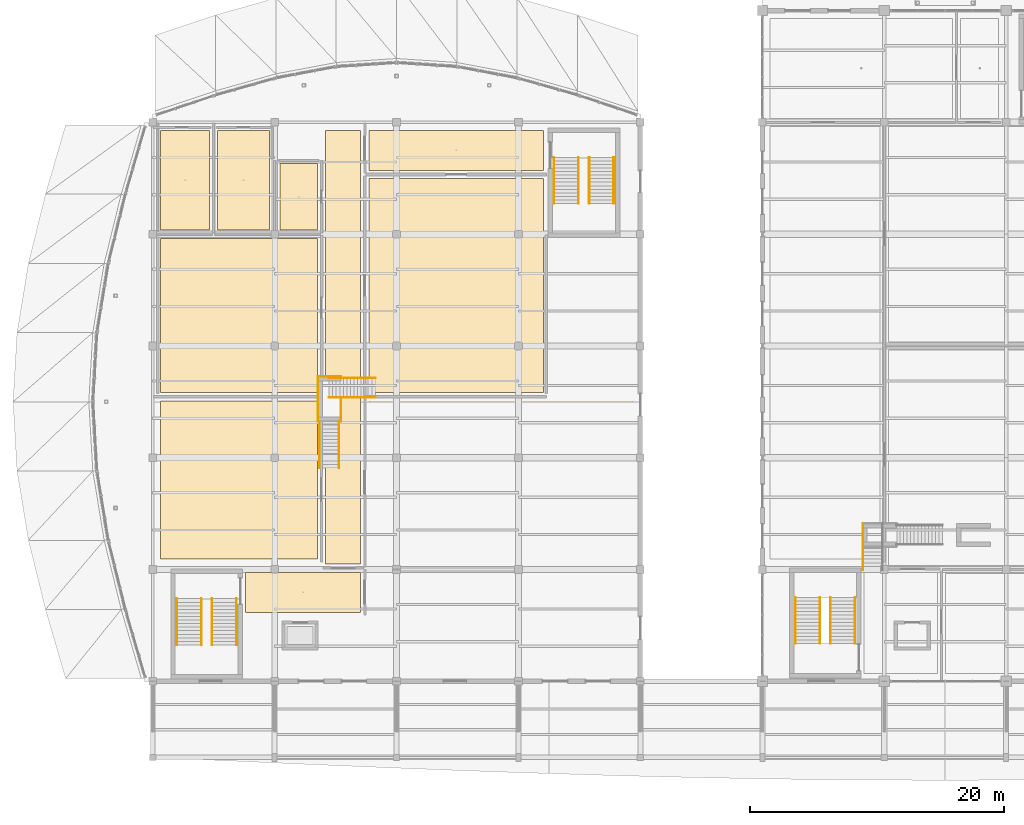
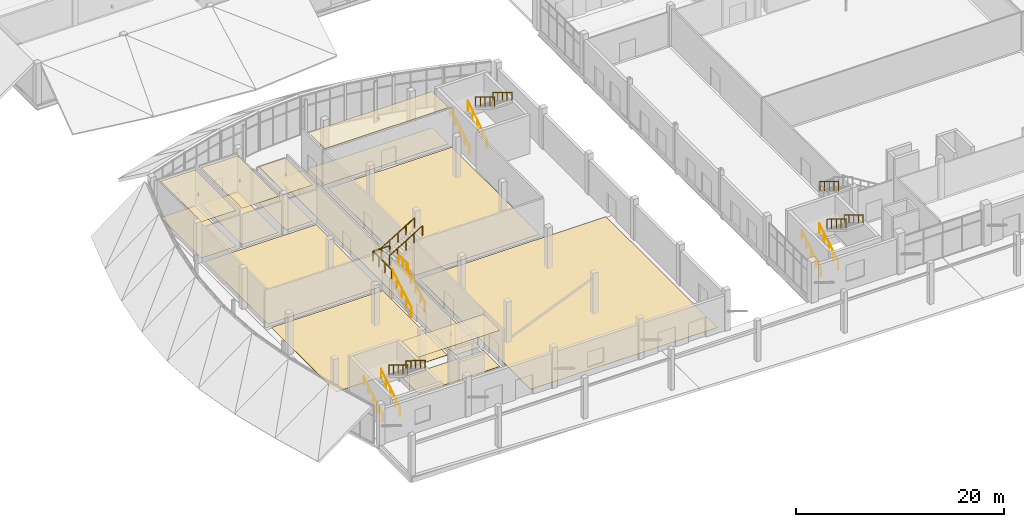
# One storey, part 107 of 116: 19 railings, 15 coverings, 5 elements without a shape of their own.
"""IFC4 building model written with IfcOpenShell, lengths in metres."""

from ifc_helpers import new_model, si_unit, direction, frame, origin, origin_2d, place, context, subcontext, project, spatial, polyline, circle, outline, extrude, material, layer, layer_set, type_object, element, aggregate, save


model = new_model("IFC4")

# Units and contexts
model_context = context("Model", 3, precision=1e-05, world=origin(), true_north=direction((0.0, 1.0)))
body_context = subcontext(model_context, "Body", "Model", "MODEL_VIEW")
ifc_project = project(units=[si_unit("LENGTHUNIT", "METRE"), si_unit("AREAUNIT", "SQUARE_METRE"), si_unit("VOLUMEUNIT", "CUBIC_METRE"), si_unit("PLANEANGLEUNIT", "RADIAN"), si_unit("MASSUNIT", "GRAM", prefix="KILO")], contexts=[model_context])

# Site, building, storey
site_placement = place(None, origin())
site = spatial("IfcSite", under=ifc_project, at=site_placement, CompositionType="ELEMENT")
building_placement = place(site_placement, origin())
building = spatial("IfcBuilding", under=site, at=building_placement, Name="Chalmorin Arch Market", CompositionType="ELEMENT")
storey_placement = place(building_placement, origin())
storey = spatial("IfcBuildingStorey", under=building, at=storey_placement, Name="L00", CompositionType="ELEMENT", Elevation=0.0)

# Coverings
ifc_material_1 = material(Name="Mineral Fibre Acoustic Tile")
ifc_layer_1 = layer(ifc_material_1, 0.044921875)
ifc_layer_set_1 = layer_set([ifc_layer_1], Name="Mineral Fibre Acoustic Tile")
covering_type_1 = type_object("IfcCoveringType", Name="AcousticBaffleCeiling-45", PredefinedType="CEILING", material=ifc_layer_set_1)
covering_1_placement = place(storey_placement, frame((0.0, 0.0, 4.235107421875)))
element("IfcCovering", 1, at=covering_1_placement, inside=storey, type_object=covering_type_1, Name="CLG-01-095", PredefinedType="CEILING", context=body_context, shape_type="SweptSolid", body=[
    extrude(outline(polyline([(7.320068359375, 11.419921875), (16.3798828125, 11.419921875), (16.3798828125, 14.580078125), (7.320068359375, 14.580078125), (7.320068359375, 11.419921875)])), origin(), (0.0, 0.0, 1.0), 0.044921875),
])
covering_2_placement = place(storey_placement, frame((0.0, 0.0, 4.235107421875)))
element("IfcCovering", 2, at=covering_2_placement, inside=storey, type_object=covering_type_1, Name="CLG-01-098", PredefinedType="CEILING", context=body_context, shape_type="SweptSolid", body=[
    extrude(outline(polyline([(17.02001953125, 46.219970703125), (30.780029296875, 46.219970703125), (30.780029296875, 49.3798828125), (17.02001953125, 49.3798828125), (17.02001953125, 46.219970703125)])), origin(), (0.0, 0.0, 1.0), 0.044921875),
])
ifc_material_2 = material(Name="Epoxy Resin Flooring")
ifc_layer_2 = layer(ifc_material_2, 0.02001953125)
ifc_layer_set_2 = layer_set([ifc_layer_2], Name="Epoxy Resin Flooring")
covering_type_2 = type_object("IfcCoveringType", Name="EpoxySlipResistantKitchenFloor-20", PredefinedType="FLOORING", material=ifc_layer_set_2)
covering_3_placement = place(storey_placement, origin())
element("IfcCovering", 3, at=covering_3_placement, inside=storey, type_object=covering_type_2, Name="FLR-02-092", PredefinedType="FLOORING", context=body_context, shape_type="SweptSolid", body=[
    extrude(outline(polyline([(0.6201171875, 28.719970703125), (12.97998046875, 28.719970703125), (12.97998046875, 40.8798828125), (0.6201171875, 40.8798828125), (0.6201171875, 28.719970703125)])), origin(), (0.0, 0.0, 1.0), 0.02001953125),
])
covering_4_placement = place(storey_placement, origin())
element("IfcCovering", 4, at=covering_4_placement, inside=storey, type_object=covering_type_2, Name="FLR-02-093", PredefinedType="FLOORING", context=body_context, shape_type="SweptSolid", body=[
    extrude(outline(polyline([(17.02001953125, 28.719970703125), (30.780029296875, 28.719970703125), (30.780029296875, 45.580078125), (17.02001953125, 45.580078125), (17.02001953125, 28.719970703125)])), origin(), (0.0, 0.0, 1.0), 0.02001953125),
])
ifc_material_3 = material(Name="Gypsum Board Partition")
ifc_layer_3 = layer(ifc_material_3, 0.030029296875)
ifc_layer_set_3 = layer_set([ifc_layer_3], Name="Gypsum Board Partition")
covering_type_3 = type_object("IfcCoveringType", Name="MoistureResistantGypsumCeiling-30", PredefinedType="CEILING", material=ifc_layer_set_3)
covering_5_placement = place(storey_placement, frame((0.0, 0.0, 4.25)))
element("IfcCovering", 5, at=covering_5_placement, inside=storey, type_object=covering_type_3, Name="CLG-03-100", PredefinedType="CEILING", context=body_context, shape_type="SweptSolid", body=[
    extrude(outline(polyline([(0.6201171875, 41.52001953125), (4.47998046875, 41.52001953125), (4.47998046875, 49.3798828125), (0.6201171875, 49.3798828125), (0.6201171875, 41.52001953125)])), origin(), (0.0, 0.0, 1.0), 0.030029296875),
])
covering_6_placement = place(storey_placement, frame((0.0, 0.0, 4.25)))
element("IfcCovering", 6, at=covering_6_placement, inside=storey, type_object=covering_type_3, Name="CLG-03-102", PredefinedType="CEILING", context=body_context, shape_type="SweptSolid", body=[
    extrude(outline(polyline([(5.1201171875, 41.52001953125), (9.179931640625, 41.52001953125), (9.179931640625, 49.3798828125), (5.1201171875, 49.3798828125), (5.1201171875, 41.52001953125)])), origin(), (0.0, 0.0, 1.0), 0.030029296875),
])
covering_7_placement = place(storey_placement, frame((0.0, 0.0, 4.25)))
element("IfcCovering", 7, at=covering_7_placement, inside=storey, type_object=covering_type_3, Name="CLG-03-104", PredefinedType="CEILING", context=body_context, shape_type="SweptSolid", body=[
    extrude(outline(polyline([(10.02001953125, 41.52001953125), (12.97998046875, 41.52001953125), (12.97998046875, 46.780029296875), (10.02001953125, 46.780029296875), (10.02001953125, 41.52001953125)])), origin(), (0.0, 0.0, 1.0), 0.030029296875),
])
ifc_material_4 = material(Name="Ceramic Porcelain Tile")
ifc_layer_4 = layer(ifc_material_4, 0.01806640625)
ifc_layer_set_4 = layer_set([ifc_layer_4], Name="Ceramic Porcelain Tile")
covering_type_4 = type_object("IfcCoveringType", Name="PorcelainRestroomTileFloor-18", PredefinedType="FLOORING", material=ifc_layer_set_4)
covering_8_placement = place(storey_placement, origin())
element("IfcCovering", 8, at=covering_8_placement, inside=storey, type_object=covering_type_4, Name="FLR-03-099", PredefinedType="FLOORING", context=body_context, shape_type="SweptSolid", body=[
    extrude(outline(polyline([(0.6201171875, 41.52001953125), (4.47998046875, 41.52001953125), (4.47998046875, 49.3798828125), (0.6201171875, 49.3798828125), (0.6201171875, 41.52001953125)])), origin(), (0.0, 0.0, 1.0), 0.01806640625),
])
covering_9_placement = place(storey_placement, origin())
element("IfcCovering", 9, at=covering_9_placement, inside=storey, type_object=covering_type_4, Name="FLR-03-101", PredefinedType="FLOORING", context=body_context, shape_type="SweptSolid", body=[
    extrude(outline(polyline([(5.1201171875, 41.52001953125), (9.179931640625, 41.52001953125), (9.179931640625, 49.3798828125), (5.1201171875, 49.3798828125), (5.1201171875, 41.52001953125)])), origin(), (0.0, 0.0, 1.0), 0.01806640625),
])
covering_10_placement = place(storey_placement, origin())
element("IfcCovering", 10, at=covering_10_placement, inside=storey, type_object=covering_type_4, Name="FLR-03-103", PredefinedType="FLOORING", context=body_context, shape_type="SweptSolid", body=[
    extrude(outline(polyline([(10.02001953125, 41.52001953125), (12.97998046875, 41.52001953125), (12.97998046875, 46.780029296875), (10.02001953125, 46.780029296875), (10.02001953125, 41.52001953125)])), origin(), (0.0, 0.0, 1.0), 0.01806640625),
])

# Stair, railings
ifc_material_5 = material(Name="Concrete C40/50", Category="concrete")
stair_type_1 = type_object("IfcStairType", Name="DoglegExitStair-28R-SC1", PredefinedType="HALF_TURN_STAIR", material=ifc_material_5)
stair_1_placement = place(storey_placement, origin())
stair_1 = element("IfcStair", 11, at=stair_1_placement, inside=storey, type_object=stair_type_1, Name="ST-01", PredefinedType="HALF_TURN_STAIR")
ifc_material_6 = material(Name="Stainless Steel 316", Category="steel")
ifc_layer_5 = layer(ifc_material_6, 0.048095703125)
ifc_layer_set_5 = layer_set([ifc_layer_5], Name="Stainless Steel 316")
railing_type_1 = type_object("IfcRailingType", Name="StairTubeHandrail-920", PredefinedType="HANDRAIL", material=ifc_layer_set_5)
railing_1_placement = place(storey_placement, frame((1.89990234375, 8.860107421875, 0.17138671875)))
railing_1 = element("IfcRailing", 12, at=railing_1_placement, type_object=railing_type_1, Name="HR-01-002", PredefinedType="HANDRAIL", context=body_context, shape_type="SweptSolid", body=[
    extrude(circle(Radius=0.02392578125, at=origin_2d()), frame((0.0, 0.0, 0.89599609375), z_axis=(0.0, 0.852850264322, 0.5221555579), x_axis=(-1.0, 0.0, 0.0)), (0.0, 0.0, 1.0), 4.267822265625),
    extrude(circle(Radius=0.02099609375, at=origin_2d()), origin(), (0.0, 0.0, 1.0), 0.871826171875),
    extrude(circle(Radius=0.02099609375, at=origin_2d()), frame((0.0, 0.909912109375, 0.55712890625)), (0.0, 0.0, 1.0), 0.871826171875),
    extrude(circle(Radius=0.02099609375, at=origin_2d()), frame((0.0, 1.81982421875, 1.1142578125)), (0.0, 0.0, 1.0), 0.871826171875),
    extrude(circle(Radius=0.02099609375, at=origin_2d()), frame((0.0, 2.72998046875, 1.67138671875)), (0.0, 0.0, 1.0), 0.871826171875),
    extrude(circle(Radius=0.02099609375, at=origin_2d()), frame((0.0, 3.639892578125, 2.228515625)), (0.0, 0.0, 1.0), 0.871826171875),
])
railing_2_placement = place(storey_placement, frame((6.60009765625, 12.5, 2.5712890625)))
railing_2 = element("IfcRailing", 13, at=railing_2_placement, type_object=railing_type_1, Name="HR-01-005", PredefinedType="HANDRAIL", context=body_context, shape_type="SweptSolid", body=[
    extrude(circle(Radius=0.02392578125, at=origin_2d()), frame((0.0, 0.0, 0.89599609375), z_axis=(0.0, -0.852824790078, 0.522197163366), x_axis=(1.0, 0.0, 0.0)), (0.0, 0.0, 1.0), 4.26806640625),
    extrude(circle(Radius=0.02099609375, at=origin_2d()), origin(), (0.0, 0.0, 1.0), 0.871826171875),
    extrude(circle(Radius=0.02099609375, at=origin_2d()), frame((0.0, -0.909912109375, 0.55712890625)), (0.0, 0.0, 1.0), 0.871826171875),
    extrude(circle(Radius=0.02099609375, at=origin_2d()), frame((0.0, -1.81982421875, 1.1142578125)), (0.0, 0.0, 1.0), 0.871826171875),
    extrude(circle(Radius=0.02099609375, at=origin_2d()), frame((0.0, -2.72998046875, 1.671630859375)), (0.0, 0.0, 1.0), 0.871826171875),
    extrude(circle(Radius=0.02099609375, at=origin_2d()), frame((0.0, -3.639892578125, 2.228759765625)), (0.0, 0.0, 1.0), 0.871826171875),
])

stair_type_2 = type_object("IfcStairType", Name="DoglegExitStair-28R-SC2", PredefinedType="HALF_TURN_STAIR", material=ifc_material_5)
stair_2_placement = place(storey_placement, origin())
stair_2 = element("IfcStair", 14, at=stair_2_placement, inside=storey, type_object=stair_type_2, Name="ST-03", PredefinedType="HALF_TURN_STAIR")
railing_3_placement = place(storey_placement, frame((31.60009765625, 43.610107421875, 0.17138671875)))
railing_3 = element("IfcRailing", 15, at=railing_3_placement, type_object=railing_type_1, Name="HR-01-011", PredefinedType="HANDRAIL", context=body_context, shape_type="SweptSolid", body=[
    extrude(circle(Radius=0.02392578125, at=origin_2d()), frame((0.0, 0.0, 0.89599609375), z_axis=(0.0, 0.852850264322, 0.5221555579), x_axis=(-1.0, 0.0, 0.0)), (0.0, 0.0, 1.0), 4.267822265625),
    extrude(circle(Radius=0.02099609375, at=origin_2d()), origin(), (0.0, 0.0, 1.0), 0.871826171875),
    extrude(circle(Radius=0.02099609375, at=origin_2d()), frame((0.0, 0.909912109375, 0.55712890625)), (0.0, 0.0, 1.0), 0.871826171875),
    extrude(circle(Radius=0.02099609375, at=origin_2d()), frame((0.0, 1.81982421875, 1.1142578125)), (0.0, 0.0, 1.0), 0.871826171875),
    extrude(circle(Radius=0.02099609375, at=origin_2d()), frame((0.0, 2.72998046875, 1.67138671875)), (0.0, 0.0, 1.0), 0.871826171875),
    extrude(circle(Radius=0.02099609375, at=origin_2d()), frame((0.0, 3.639892578125, 2.228515625)), (0.0, 0.0, 1.0), 0.871826171875),
])
railing_4_placement = place(storey_placement, frame((36.300048828125, 47.25, 2.5712890625)))
railing_4 = element("IfcRailing", 16, at=railing_4_placement, type_object=railing_type_1, Name="HR-01-014", PredefinedType="HANDRAIL", context=body_context, shape_type="SweptSolid", body=[
    extrude(circle(Radius=0.02392578125, at=origin_2d()), frame((0.0, 0.0, 0.89599609375), z_axis=(0.0, -0.852824790078, 0.522197163366), x_axis=(1.0, 0.0, 0.0)), (0.0, 0.0, 1.0), 4.26806640625),
    extrude(circle(Radius=0.02099609375, at=origin_2d()), origin(), (0.0, 0.0, 1.0), 0.871826171875),
    extrude(circle(Radius=0.02099609375, at=origin_2d()), frame((0.0, -0.909912109375, 0.55712890625)), (0.0, 0.0, 1.0), 0.871826171875),
    extrude(circle(Radius=0.02099609375, at=origin_2d()), frame((0.0, -1.81982421875, 1.1142578125)), (0.0, 0.0, 1.0), 0.871826171875),
    extrude(circle(Radius=0.02099609375, at=origin_2d()), frame((0.0, -2.72998046875, 1.671630859375)), (0.0, 0.0, 1.0), 0.871826171875),
    extrude(circle(Radius=0.02099609375, at=origin_2d()), frame((0.0, -3.639892578125, 2.228759765625)), (0.0, 0.0, 1.0), 0.871826171875),
])

stair_type_3 = type_object("IfcStairType", Name="DoglegExitStair-28R-SC3", PredefinedType="HALF_TURN_STAIR", material=ifc_material_5)
stair_3_placement = place(storey_placement, origin())
stair_3 = element("IfcStair", 17, at=stair_3_placement, inside=storey, type_object=stair_type_3, Name="ST-06", PredefinedType="HALF_TURN_STAIR")
railing_5_placement = place(storey_placement, frame((50.60009765625, 8.9599609375, 0.17138671875)))
railing_5 = element("IfcRailing", 18, at=railing_5_placement, type_object=railing_type_1, Name="HR-01-024", PredefinedType="HANDRAIL", context=body_context, shape_type="SweptSolid", body=[
    extrude(circle(Radius=0.02392578125, at=origin_2d()), frame((0.0, 0.0, 0.89599609375), z_axis=(0.0, 0.852865859571, 0.52213008492), x_axis=(-1.0, 0.0, 0.0)), (0.0, 0.0, 1.0), 4.26806640625),
    extrude(circle(Radius=0.02099609375, at=origin_2d()), origin(), (0.0, 0.0, 1.0), 0.871826171875),
    extrude(circle(Radius=0.02099609375, at=origin_2d()), frame((0.0, 0.91015625, 0.55712890625)), (0.0, 0.0, 1.0), 0.871826171875),
    extrude(circle(Radius=0.02099609375, at=origin_2d()), frame((0.0, 1.820068359375, 1.1142578125)), (0.0, 0.0, 1.0), 0.871826171875),
    extrude(circle(Radius=0.02099609375, at=origin_2d()), frame((0.0, 2.72998046875, 1.67138671875)), (0.0, 0.0, 1.0), 0.871826171875),
    extrude(circle(Radius=0.02099609375, at=origin_2d()), frame((0.0, 3.64013671875, 2.228515625)), (0.0, 0.0, 1.0), 0.871826171875),
])
railing_6_placement = place(storey_placement, frame((55.300048828125, 12.60009765625, 2.5712890625)))
railing_6 = element("IfcRailing", 19, at=railing_6_placement, type_object=railing_type_1, Name="HR-01-027", PredefinedType="HANDRAIL", context=body_context, shape_type="SweptSolid", body=[
    extrude(circle(Radius=0.02392578125, at=origin_2d()), frame((0.0, 0.0, 0.89599609375), z_axis=(0.0, -0.852840387347, 0.522171689878), x_axis=(1.0, 0.0, 0.0)), (0.0, 0.0, 1.0), 4.268310546875),
    extrude(circle(Radius=0.02099609375, at=origin_2d()), origin(), (0.0, 0.0, 1.0), 0.871826171875),
    extrude(circle(Radius=0.02099609375, at=origin_2d()), frame((0.0, -0.91015625, 0.55712890625)), (0.0, 0.0, 1.0), 0.871826171875),
    extrude(circle(Radius=0.02099609375, at=origin_2d()), frame((0.0, -1.820068359375, 1.1142578125)), (0.0, 0.0, 1.0), 0.871826171875),
    extrude(circle(Radius=0.02099609375, at=origin_2d()), frame((0.0, -2.72998046875, 1.671630859375)), (0.0, 0.0, 1.0), 0.871826171875),
    extrude(circle(Radius=0.02099609375, at=origin_2d()), frame((0.0, -3.64013671875, 2.228759765625)), (0.0, 0.0, 1.0), 0.871826171875),
])

# Railing
ifc_material_7 = material(Name="Galvanised Steel", Category="steel")
ifc_layer_6 = layer(ifc_material_7, 0.054931640625)
ifc_layer_set_6 = layer_set([ifc_layer_6], Name="Galvanised Steel")
railing_type_2 = type_object("IfcRailingType", Name="StairWellGuardrail-1100", PredefinedType="GUARDRAIL", material=ifc_layer_set_6)
railing_7_placement = place(storey_placement, frame((3.830078125, 8.860107421875, 0.17138671875)))
railing_7 = element("IfcRailing", 20, at=railing_7_placement, type_object=railing_type_2, Name="SG-01-003", PredefinedType="GUARDRAIL", context=body_context, shape_type="SweptSolid", body=[
    extrude(circle(Radius=0.02392578125, at=origin_2d()), frame((0.0, 0.0, 1.076171875), z_axis=(0.0, 0.852850264322, 0.5221555579), x_axis=(-1.0, 0.0, 0.0)), (0.0, 0.0, 1.0), 4.267822265625),
    extrude(circle(Radius=0.02099609375, at=origin_2d()), origin(), (0.0, 0.0, 1.0), 1.052001953125),
    extrude(circle(Radius=0.02099609375, at=origin_2d()), frame((0.0, 0.909912109375, 0.55712890625)), (0.0, 0.0, 1.0), 1.052001953125),
    extrude(circle(Radius=0.02099609375, at=origin_2d()), frame((0.0, 1.81982421875, 1.1142578125)), (0.0, 0.0, 1.0), 1.052001953125),
    extrude(circle(Radius=0.02099609375, at=origin_2d()), frame((0.0, 2.72998046875, 1.67138671875)), (0.0, 0.0, 1.0), 1.052001953125),
    extrude(circle(Radius=0.02099609375, at=origin_2d()), frame((0.0, 3.639892578125, 2.228515625)), (0.0, 0.0, 1.0), 1.052001953125),
])

railing_8_placement = place(storey_placement, frame((4.669921875, 12.5, 2.5712890625)))
railing_8 = element("IfcRailing", 21, at=railing_8_placement, type_object=railing_type_2, Name="SG-01-004", PredefinedType="GUARDRAIL", context=body_context, shape_type="SweptSolid", body=[
    extrude(circle(Radius=0.02392578125, at=origin_2d()), frame((0.0, 0.0, 1.076171875), z_axis=(0.0, -0.852824790078, 0.522197163366), x_axis=(1.0, 0.0, 0.0)), (0.0, 0.0, 1.0), 4.26806640625),
    extrude(circle(Radius=0.02099609375, at=origin_2d()), origin(), (0.0, 0.0, 1.0), 1.052001953125),
    extrude(circle(Radius=0.02099609375, at=origin_2d()), frame((0.0, -0.909912109375, 0.55712890625)), (0.0, 0.0, 1.0), 1.052001953125),
    extrude(circle(Radius=0.02099609375, at=origin_2d()), frame((0.0, -1.81982421875, 1.1142578125)), (0.0, 0.0, 1.0), 1.052001953125),
    extrude(circle(Radius=0.02099609375, at=origin_2d()), frame((0.0, -2.72998046875, 1.671630859375)), (0.0, 0.0, 1.0), 1.052001953125),
    extrude(circle(Radius=0.02099609375, at=origin_2d()), frame((0.0, -3.639892578125, 2.228759765625)), (0.0, 0.0, 1.0), 1.052001953125),
])

aggregate(stair_1, [railing_1, railing_7, railing_8, railing_2])

railing_9_placement = place(storey_placement, frame((33.530029296875, 43.610107421875, 0.17138671875)))
railing_9 = element("IfcRailing", 22, at=railing_9_placement, type_object=railing_type_2, Name="SG-01-012", PredefinedType="GUARDRAIL", context=body_context, shape_type="SweptSolid", body=[
    extrude(circle(Radius=0.02392578125, at=origin_2d()), frame((0.0, 0.0, 1.076171875), z_axis=(0.0, 0.852850264322, 0.5221555579), x_axis=(-1.0, 0.0, 0.0)), (0.0, 0.0, 1.0), 4.267822265625),
    extrude(circle(Radius=0.02099609375, at=origin_2d()), origin(), (0.0, 0.0, 1.0), 1.052001953125),
    extrude(circle(Radius=0.02099609375, at=origin_2d()), frame((0.0, 0.909912109375, 0.55712890625)), (0.0, 0.0, 1.0), 1.052001953125),
    extrude(circle(Radius=0.02099609375, at=origin_2d()), frame((0.0, 1.81982421875, 1.1142578125)), (0.0, 0.0, 1.0), 1.052001953125),
    extrude(circle(Radius=0.02099609375, at=origin_2d()), frame((0.0, 2.72998046875, 1.67138671875)), (0.0, 0.0, 1.0), 1.052001953125),
    extrude(circle(Radius=0.02099609375, at=origin_2d()), frame((0.0, 3.639892578125, 2.228515625)), (0.0, 0.0, 1.0), 1.052001953125),
])

railing_10_placement = place(storey_placement, frame((34.3701171875, 47.25, 2.5712890625)))
railing_10 = element("IfcRailing", 23, at=railing_10_placement, type_object=railing_type_2, Name="SG-01-013", PredefinedType="GUARDRAIL", context=body_context, shape_type="SweptSolid", body=[
    extrude(circle(Radius=0.02392578125, at=origin_2d()), frame((0.0, 0.0, 1.076171875), z_axis=(0.0, -0.852824790078, 0.522197163366), x_axis=(1.0, 0.0, 0.0)), (0.0, 0.0, 1.0), 4.26806640625),
    extrude(circle(Radius=0.02099609375, at=origin_2d()), origin(), (0.0, 0.0, 1.0), 1.052001953125),
    extrude(circle(Radius=0.02099609375, at=origin_2d()), frame((0.0, -0.909912109375, 0.55712890625)), (0.0, 0.0, 1.0), 1.052001953125),
    extrude(circle(Radius=0.02099609375, at=origin_2d()), frame((0.0, -1.81982421875, 1.1142578125)), (0.0, 0.0, 1.0), 1.052001953125),
    extrude(circle(Radius=0.02099609375, at=origin_2d()), frame((0.0, -2.72998046875, 1.671630859375)), (0.0, 0.0, 1.0), 1.052001953125),
    extrude(circle(Radius=0.02099609375, at=origin_2d()), frame((0.0, -3.639892578125, 2.228759765625)), (0.0, 0.0, 1.0), 1.052001953125),
])

aggregate(stair_2, [railing_3, railing_9, railing_10, railing_4])

railing_11_placement = place(storey_placement, frame((52.530029296875, 8.9599609375, 0.17138671875)))
railing_11 = element("IfcRailing", 24, at=railing_11_placement, type_object=railing_type_2, Name="SG-01-025", PredefinedType="GUARDRAIL", context=body_context, shape_type="SweptSolid", body=[
    extrude(circle(Radius=0.02392578125, at=origin_2d()), frame((0.0, 0.0, 1.076171875), z_axis=(0.0, 0.852865859571, 0.52213008492), x_axis=(-1.0, 0.0, 0.0)), (0.0, 0.0, 1.0), 4.26806640625),
    extrude(circle(Radius=0.02099609375, at=origin_2d()), origin(), (0.0, 0.0, 1.0), 1.052001953125),
    extrude(circle(Radius=0.02099609375, at=origin_2d()), frame((0.0, 0.91015625, 0.55712890625)), (0.0, 0.0, 1.0), 1.052001953125),
    extrude(circle(Radius=0.02099609375, at=origin_2d()), frame((0.0, 1.820068359375, 1.1142578125)), (0.0, 0.0, 1.0), 1.052001953125),
    extrude(circle(Radius=0.02099609375, at=origin_2d()), frame((0.0, 2.72998046875, 1.67138671875)), (0.0, 0.0, 1.0), 1.052001953125),
    extrude(circle(Radius=0.02099609375, at=origin_2d()), frame((0.0, 3.64013671875, 2.228515625)), (0.0, 0.0, 1.0), 1.052001953125),
])

railing_12_placement = place(storey_placement, frame((53.3701171875, 12.60009765625, 2.5712890625)))
railing_12 = element("IfcRailing", 25, at=railing_12_placement, type_object=railing_type_2, Name="SG-01-026", PredefinedType="GUARDRAIL", context=body_context, shape_type="SweptSolid", body=[
    extrude(circle(Radius=0.02392578125, at=origin_2d()), frame((0.0, 0.0, 1.076171875), z_axis=(0.0, -0.852840387347, 0.522171689878), x_axis=(1.0, 0.0, 0.0)), (0.0, 0.0, 1.0), 4.268310546875),
    extrude(circle(Radius=0.02099609375, at=origin_2d()), origin(), (0.0, 0.0, 1.0), 1.052001953125),
    extrude(circle(Radius=0.02099609375, at=origin_2d()), frame((0.0, -0.91015625, 0.55712890625)), (0.0, 0.0, 1.0), 1.052001953125),
    extrude(circle(Radius=0.02099609375, at=origin_2d()), frame((0.0, -1.820068359375, 1.1142578125)), (0.0, 0.0, 1.0), 1.052001953125),
    extrude(circle(Radius=0.02099609375, at=origin_2d()), frame((0.0, -2.72998046875, 1.671630859375)), (0.0, 0.0, 1.0), 1.052001953125),
    extrude(circle(Radius=0.02099609375, at=origin_2d()), frame((0.0, -3.64013671875, 2.228759765625)), (0.0, 0.0, 1.0), 1.052001953125),
])

aggregate(stair_3, [railing_5, railing_11, railing_12, railing_6])

# Stair, railing
ifc_material_8 = material(Name="Steel A992 Grade 50", Category="steel")
stair_type_4 = type_object("IfcStairType", Name="GalleryFeatureStair-Steel", PredefinedType="QUARTER_TURN_STAIR", material=ifc_material_8)
stair_4_placement = place(storey_placement, origin())
stair_4 = element("IfcStair", 26, at=stair_4_placement, inside=storey, type_object=stair_type_4, Name="ST-26", PredefinedType="QUARTER_TURN_STAIR")
railing_13_placement = place(storey_placement, frame((55.93505859375, 18.409912109375, 2.5712890625)))
railing_13 = element("IfcRailing", 27, at=railing_13_placement, type_object=railing_type_2, Name="SG-01-112", PredefinedType="GUARDRAIL", context=body_context, shape_type="SweptSolid", body=[
    extrude(circle(Radius=0.02392578125, at=origin_2d()), frame((0.0, 0.0, 1.076171875), z_axis=(0.0, -0.852824790078, 0.522197163366), x_axis=(1.0, 0.0, 0.0)), (0.0, 0.0, 1.0), 4.26806640625),
    extrude(circle(Radius=0.02099609375, at=origin_2d()), origin(), (0.0, 0.0, 1.0), 1.052001953125),
    extrude(circle(Radius=0.02099609375, at=origin_2d()), frame((0.0, -0.909912109375, 0.55712890625)), (0.0, 0.0, 1.0), 1.052001953125),
    extrude(circle(Radius=0.02099609375, at=origin_2d()), frame((0.0, -1.81982421875, 1.1142578125)), (0.0, 0.0, 1.0), 1.052001953125),
    extrude(circle(Radius=0.02099609375, at=origin_2d()), frame((0.0, -2.72998046875, 1.671630859375)), (0.0, 0.0, 1.0), 1.052001953125),
    extrude(circle(Radius=0.02099609375, at=origin_2d()), frame((0.0, -3.639892578125, 2.228759765625)), (0.0, 0.0, 1.0), 1.052001953125),
])
aggregate(stair_4, [railing_13])

# Stair, railings
stair_5_placement = place(storey_placement, origin())
stair_5 = element("IfcStair", 28, at=stair_5_placement, inside=storey, type_object=stair_type_4, Name="ST-29", PredefinedType="QUARTER_TURN_STAIR")
railing_14_placement = place(storey_placement, frame((13.06005859375, 26.4599609375, 2.39990234375)))
railing_14 = element("IfcRailing", 29, at=railing_14_placement, type_object=railing_type_2, Name="SG-01-125", PredefinedType="GUARDRAIL", context=body_context, shape_type="SweptSolid", body=[
    extrude(circle(Radius=0.02392578125, at=origin_2d()), frame((0.0, 0.0, 1.076171875), z_axis=(-1.0, 0.0, 0.0), x_axis=(0.0, -1.0, 0.0)), (0.0, 0.0, 1.0), 0.050048828125),
    extrude(circle(Radius=0.02392578125, at=origin_2d()), frame((-0.050048828125, 0.0, 1.076171875), z_axis=(0.0, 1.0, 0.0), x_axis=(-1.0, 0.0, 0.0)), (0.0, 0.0, 1.0), 3.530029296875),
    extrude(circle(Radius=0.02392578125, at=origin_2d()), frame((-0.050048828125, 3.530029296875, 1.076171875), z_axis=(1.0, 0.0, 0.0), x_axis=(0.0, 1.0, 0.0)), (0.0, 0.0, 1.0), 1.830078125),
    extrude(circle(Radius=0.02392578125, at=origin_2d()), frame((1.780029296875, 3.530029296875, 1.076171875), z_axis=(0.0, -1.0, 0.0), x_axis=(1.0, 0.0, 0.0)), (0.0, 0.0, 1.0), 0.070068359375),
    extrude(circle(Radius=0.02099609375, at=origin_2d()), origin(), (0.0, 0.0, 1.0), 1.052001953125),
    extrude(circle(Radius=0.02099609375, at=origin_2d()), frame((-0.050048828125, 0.0, 0.0)), (0.0, 0.0, 1.0), 1.052001953125),
    extrude(circle(Radius=0.02099609375, at=origin_2d()), frame((-0.050048828125, 1.1767578125, 0.0)), (0.0, 0.0, 1.0), 1.052001953125),
    extrude(circle(Radius=0.02099609375, at=origin_2d()), frame((-0.050048828125, 2.353271484375, 0.0)), (0.0, 0.0, 1.0), 1.052001953125),
    extrude(circle(Radius=0.02099609375, at=origin_2d()), frame((-0.050048828125, 3.530029296875, 0.0)), (0.0, 0.0, 1.0), 1.052001953125),
    extrude(circle(Radius=0.02099609375, at=origin_2d()), frame((0.864990234375, 3.530029296875, 0.0)), (0.0, 0.0, 1.0), 1.052001953125),
    extrude(circle(Radius=0.02099609375, at=origin_2d()), frame((1.780029296875, 3.530029296875, 0.0)), (0.0, 0.0, 1.0), 1.052001953125),
    extrude(circle(Radius=0.02099609375, at=origin_2d()), frame((1.780029296875, 3.4599609375, 0.0)), (0.0, 0.0, 1.0), 1.052001953125),
])
railing_15_placement = place(storey_placement, frame((14.840087890625, 26.4599609375, 2.39990234375)))
railing_15 = element("IfcRailing", 30, at=railing_15_placement, type_object=railing_type_2, Name="SG-01-126", PredefinedType="GUARDRAIL", context=body_context, shape_type="SweptSolid", body=[
    extrude(circle(Radius=0.02392578125, at=origin_2d()), frame((0.0, 0.0, 1.076171875), z_axis=(0.0, 1.0, 0.0), x_axis=(-1.0, 0.0, 0.0)), (0.0, 0.0, 1.0), 1.820068359375),
    extrude(circle(Radius=0.02099609375, at=origin_2d()), origin(), (0.0, 0.0, 1.0), 1.052001953125),
    extrude(circle(Radius=0.02099609375, at=origin_2d()), frame((0.0, 0.91015625, 0.0)), (0.0, 0.0, 1.0), 1.052001953125),
    extrude(circle(Radius=0.02099609375, at=origin_2d()), frame((0.0, 1.820068359375, 0.0)), (0.0, 0.0, 1.0), 1.052001953125),
])
railing_16_placement = place(storey_placement, frame((14.655029296875, 22.800048828125, 0.17138671875)))
railing_16 = element("IfcRailing", 31, at=railing_16_placement, type_object=railing_type_2, Name="SG-01-127", PredefinedType="GUARDRAIL", context=body_context, shape_type="SweptSolid", body=[
    extrude(circle(Radius=0.02392578125, at=origin_2d()), frame((0.0, 0.0, 1.076171875), z_axis=(0.0, 0.852850264322, 0.5221555579), x_axis=(-1.0, 0.0, 0.0)), (0.0, 0.0, 1.0), 4.267822265625),
    extrude(circle(Radius=0.02099609375, at=origin_2d()), origin(), (0.0, 0.0, 1.0), 1.052001953125),
    extrude(circle(Radius=0.02099609375, at=origin_2d()), frame((0.0, 0.909912109375, 0.55712890625)), (0.0, 0.0, 1.0), 1.052001953125),
    extrude(circle(Radius=0.02099609375, at=origin_2d()), frame((0.0, 1.81982421875, 1.1142578125)), (0.0, 0.0, 1.0), 1.052001953125),
    extrude(circle(Radius=0.02099609375, at=origin_2d()), frame((0.0, 2.72998046875, 1.67138671875)), (0.0, 0.0, 1.0), 1.052001953125),
    extrude(circle(Radius=0.02099609375, at=origin_2d()), frame((0.0, 3.639892578125, 2.228515625)), (0.0, 0.0, 1.0), 1.052001953125),
])
railing_17_placement = place(storey_placement, frame((13.125, 22.800048828125, 0.17138671875)))
railing_17 = element("IfcRailing", 32, at=railing_17_placement, type_object=railing_type_2, Name="SG-01-128", PredefinedType="GUARDRAIL", context=body_context, shape_type="SweptSolid", body=[
    extrude(circle(Radius=0.02392578125, at=origin_2d()), frame((0.0, 0.0, 1.076171875), z_axis=(0.0, 0.852850264322, 0.5221555579), x_axis=(-1.0, 0.0, 0.0)), (0.0, 0.0, 1.0), 4.267822265625),
    extrude(circle(Radius=0.02099609375, at=origin_2d()), origin(), (0.0, 0.0, 1.0), 1.052001953125),
    extrude(circle(Radius=0.02099609375, at=origin_2d()), frame((0.0, 0.909912109375, 0.55712890625)), (0.0, 0.0, 1.0), 1.052001953125),
    extrude(circle(Radius=0.02099609375, at=origin_2d()), frame((0.0, 1.81982421875, 1.1142578125)), (0.0, 0.0, 1.0), 1.052001953125),
    extrude(circle(Radius=0.02099609375, at=origin_2d()), frame((0.0, 2.72998046875, 1.67138671875)), (0.0, 0.0, 1.0), 1.052001953125),
    extrude(circle(Radius=0.02099609375, at=origin_2d()), frame((0.0, 3.639892578125, 2.228515625)), (0.0, 0.0, 1.0), 1.052001953125),
])
railing_18_placement = place(storey_placement, frame((13.889892578125, 28.3349609375, 2.5712890625)))
railing_18 = element("IfcRailing", 33, at=railing_18_placement, type_object=railing_type_2, Name="SG-01-129", PredefinedType="GUARDRAIL", context=body_context, shape_type="SweptSolid", body=[
    extrude(circle(Radius=0.02392578125, at=origin_2d()), frame((0.0, 0.0, 1.076171875), z_axis=(0.852840387347, 0.0, 0.522171689878), x_axis=(0.0, 1.0, 0.0)), (0.0, 0.0, 1.0), 4.268310546875),
    extrude(circle(Radius=0.02099609375, at=origin_2d()), origin(), (0.0, 0.0, 1.0), 1.052001953125),
    extrude(circle(Radius=0.02099609375, at=origin_2d()), frame((0.91015625, 0.0, 0.55712890625)), (0.0, 0.0, 1.0), 1.052001953125),
    extrude(circle(Radius=0.02099609375, at=origin_2d()), frame((1.820068359375, 0.0, 1.1142578125)), (0.0, 0.0, 1.0), 1.052001953125),
    extrude(circle(Radius=0.02099609375, at=origin_2d()), frame((2.72998046875, 0.0, 1.671630859375)), (0.0, 0.0, 1.0), 1.052001953125),
    extrude(circle(Radius=0.02099609375, at=origin_2d()), frame((3.64013671875, 0.0, 2.228759765625)), (0.0, 0.0, 1.0), 1.052001953125),
])
railing_19_placement = place(storey_placement, frame((13.889892578125, 29.864990234375, 2.5712890625)))
railing_19 = element("IfcRailing", 34, at=railing_19_placement, type_object=railing_type_2, Name="SG-01-130", PredefinedType="GUARDRAIL", context=body_context, shape_type="SweptSolid", body=[
    extrude(circle(Radius=0.02392578125, at=origin_2d()), frame((0.0, 0.0, 1.076171875), z_axis=(0.852840387347, 0.0, 0.522171689878), x_axis=(0.0, 1.0, 0.0)), (0.0, 0.0, 1.0), 4.268310546875),
    extrude(circle(Radius=0.02099609375, at=origin_2d()), origin(), (0.0, 0.0, 1.0), 1.052001953125),
    extrude(circle(Radius=0.02099609375, at=origin_2d()), frame((0.91015625, 0.0, 0.55712890625)), (0.0, 0.0, 1.0), 1.052001953125),
    extrude(circle(Radius=0.02099609375, at=origin_2d()), frame((1.820068359375, 0.0, 1.1142578125)), (0.0, 0.0, 1.0), 1.052001953125),
    extrude(circle(Radius=0.02099609375, at=origin_2d()), frame((2.72998046875, 0.0, 1.671630859375)), (0.0, 0.0, 1.0), 1.052001953125),
    extrude(circle(Radius=0.02099609375, at=origin_2d()), frame((3.64013671875, 0.0, 2.228759765625)), (0.0, 0.0, 1.0), 1.052001953125),
])
aggregate(stair_5, [railing_14, railing_15, railing_16, railing_17, railing_18, railing_19])

# Coverings
ifc_material_9 = material(Name="Polished Terrazzo")
ifc_layer_7 = layer(ifc_material_9, 0.02490234375)
ifc_layer_set_7 = layer_set([ifc_layer_7], Name="Polished Terrazzo")
covering_type_5 = type_object("IfcCoveringType", Name="TerrazzoMarketFloorFinish-25", PredefinedType="FLOORING", material=ifc_layer_set_7)
covering_11_placement = place(storey_placement, origin())
element("IfcCovering", 35, at=covering_11_placement, inside=storey, type_object=covering_type_5, Name="FLR-01-090", PredefinedType="FLOORING", context=body_context, shape_type="SweptSolid", body=[
    extrude(outline(polyline([(17.02001953125, 6.6201171875), (37.780029296875, 6.6201171875), (37.780029296875, 28.080078125), (17.02001953125, 28.080078125), (17.02001953125, 6.6201171875)])), origin(), (0.0, 0.0, 1.0), 0.02490234375),
])
covering_12_placement = place(storey_placement, origin())
element("IfcCovering", 36, at=covering_12_placement, inside=storey, type_object=covering_type_5, Name="FLR-01-091", PredefinedType="FLOORING", context=body_context, shape_type="SweptSolid", body=[
    extrude(outline(polyline([(0.6201171875, 15.6201171875), (12.97998046875, 15.6201171875), (12.97998046875, 28.080078125), (0.6201171875, 28.080078125), (0.6201171875, 15.6201171875)])), origin(), (0.0, 0.0, 1.0), 0.02490234375),
])
covering_13_placement = place(storey_placement, origin())
element("IfcCovering", 37, at=covering_13_placement, inside=storey, type_object=covering_type_5, Name="FLR-01-094", PredefinedType="FLOORING", context=body_context, shape_type="SweptSolid", body=[
    extrude(outline(polyline([(7.320068359375, 11.419921875), (16.3798828125, 11.419921875), (16.3798828125, 14.580078125), (7.320068359375, 14.580078125), (7.320068359375, 11.419921875)])), origin(), (0.0, 0.0, 1.0), 0.02490234375),
])
covering_14_placement = place(storey_placement, origin())
element("IfcCovering", 38, at=covering_14_placement, inside=storey, type_object=covering_type_5, Name="FLR-01-096", PredefinedType="FLOORING", context=body_context, shape_type="SweptSolid", body=[
    extrude(outline(polyline([(13.6201171875, 15.219970703125), (16.3798828125, 15.219970703125), (16.3798828125, 49.3798828125), (13.6201171875, 49.3798828125), (13.6201171875, 15.219970703125)])), origin(), (0.0, 0.0, 1.0), 0.02490234375),
])
covering_15_placement = place(storey_placement, origin())
element("IfcCovering", 39, at=covering_15_placement, inside=storey, type_object=covering_type_5, Name="FLR-01-097", PredefinedType="FLOORING", context=body_context, shape_type="SweptSolid", body=[
    extrude(outline(polyline([(17.02001953125, 46.219970703125), (30.780029296875, 46.219970703125), (30.780029296875, 49.3798828125), (17.02001953125, 49.3798828125), (17.02001953125, 46.219970703125)])), origin(), (0.0, 0.0, 1.0), 0.02490234375),
])

save(model, "model.ifc")
